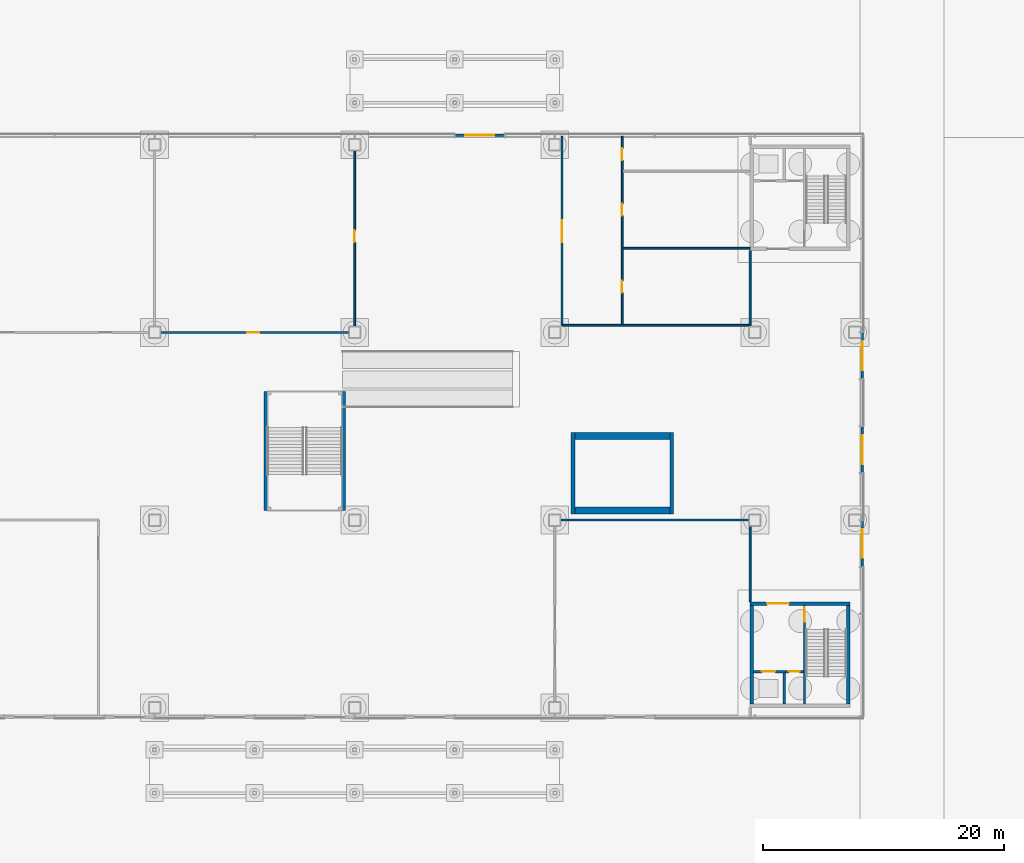
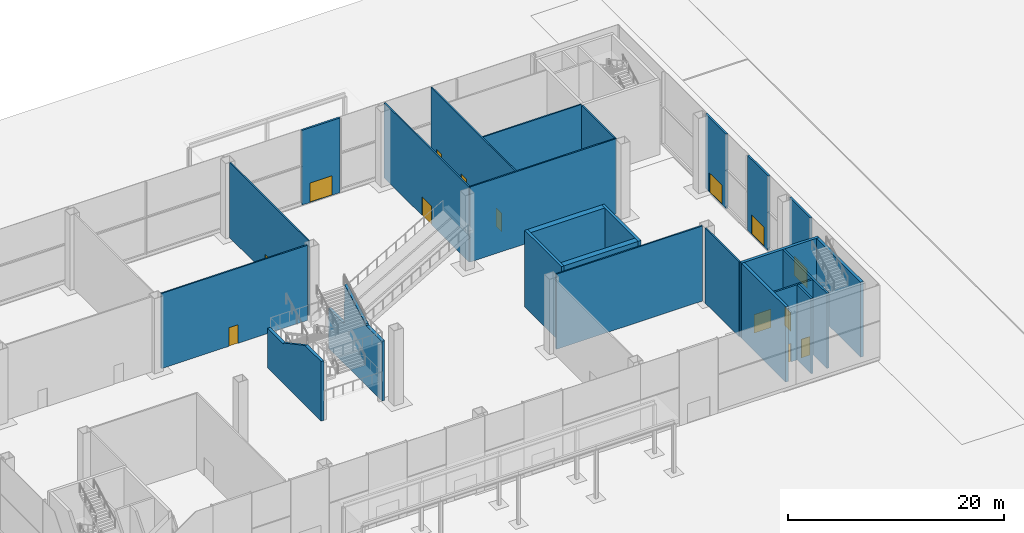
# One storey, part 46 of 113: 26 walls, 14 doors, 14 openings, 2 elements without a shape of their own.
"""IFC4 building model written with IfcOpenShell, lengths in metres."""

from ifc_helpers import new_model, si_unit, direction, frame, frame_2d, origin, place, context, subcontext, project, spatial, polyline, rectangle, outline, extrude, material, layer, layer_set, type_object, element, fill, aggregate, save


model = new_model("IFC4")

# Units and contexts
model_context = context("Model", 3, precision=1e-05, world=origin(), true_north=direction((0.0, 1.0)))
body_context = subcontext(model_context, "Body", "Model", "MODEL_VIEW")
ifc_project = project(units=[si_unit("LENGTHUNIT", "METRE"), si_unit("AREAUNIT", "SQUARE_METRE"), si_unit("VOLUMEUNIT", "CUBIC_METRE"), si_unit("PLANEANGLEUNIT", "RADIAN"), si_unit("MASSUNIT", "GRAM", prefix="KILO")], contexts=[model_context])

# Site, building, storey
site_placement = place(None, origin())
site = spatial("IfcSite", under=ifc_project, at=site_placement, CompositionType="ELEMENT")
building_placement = place(site_placement, origin())
building = spatial("IfcBuilding", under=site, at=building_placement, Name="Hakoniwa Tower and Hamabe Station Hall", CompositionType="ELEMENT")
storey_placement = place(building_placement, origin())
storey = spatial("IfcBuildingStorey", under=building, at=storey_placement, Name="L01", CompositionType="ELEMENT", Elevation=0.0)

# Wall, opening, door
ifc_material_1 = material(Name="Concrete block masonry fb10", Category="masonry")
ifc_layer_1 = layer(ifc_material_1, 0.199951171875)
ifc_layer_set_1 = layer_set([ifc_layer_1], Name="BLOCK WALL 200 EI 60")
wall_type_1 = type_object("IfcWallType", Name="BLOCK WALL 200 EI 60", PredefinedType="PARTITIONING", material=ifc_layer_set_1)
wall_1_placement = place(storey_placement, frame((164.85009765625, -20.39990234375, 0.0), z_axis=(0.0, 0.0, 1.0), x_axis=(-1.0, 0.0, 0.0)))
wall_1 = element("IfcWall", 1, at=wall_1_placement, inside=storey, type_object=wall_type_1, Name="Station riser room wall SC4 L01", PredefinedType="PARTITIONING", context=body_context, shape_type="SweptSolid", body=[
    extrude(rectangle(XDim=1.5, YDim=0.199951171875, at=frame_2d((0.75, 0.0))), origin(), (0.0, 0.0, 1.0), 8.5),
])
opening_1_placement = place(wall_1_placement, frame((0.300048828125, 0.0, 0.0)))
opening_1 = element("IfcOpeningElement", 2, at=opening_1_placement, cuts=wall_1, Name="Opening SD-L01-023", PredefinedType="OPENING", context=body_context, shape_type="SweptSolid", body=[
    extrude(rectangle(XDim=0.89990234375, YDim=2.10009765625, at=frame_2d((0.449951171875, 1.050048828125))), frame((0.0, 0.10986328125, 0.0), z_axis=(0.0, -1.0, 0.0), x_axis=(1.0, 0.0, 0.0)), (0.0, 0.0, 1.0), 0.219970703125),
])
ifc_material_2 = material(Name="Steel fire door", Category="steel")
door_type_1 = type_object("IfcDoorType", Name="FIRE DOOR 900X2100 FD30", OperationType="SINGLE_SWING_LEFT", PredefinedType="DOOR", material=ifc_material_2)
door_1_placement = place(opening_1_placement, origin())
door_1 = element("IfcDoor", 3, at=door_1_placement, inside=storey, type_object=door_type_1, Name="Door riser SC4", OperationType="SINGLE_SWING_LEFT", OverallHeight=2.10009765625, OverallWidth=0.89990234375, PredefinedType="DOOR", context=body_context, shape_type="SweptSolid", body=[
    extrude(rectangle(XDim=0.89990234375, YDim=2.10009765625, at=frame_2d((0.449951171875, 1.050048828125))), frame((0.0, 0.02490234375, 0.0), z_axis=(0.0, -1.0, 0.0), x_axis=(1.0, 0.0, 0.0)), (0.0, 0.0, 1.0), 0.050048828125),
])
fill(opening_1, door_1)

# Curtain wall, walls, openings, doors
ifc_material_3 = material(Name="Dark low-e laminated glass", Category="glass")
ifc_layer_2 = layer(ifc_material_3, 0.199951171875)
ifc_layer_set_2 = layer_set([ifc_layer_2], Name="CW-7 STATION")
curtain_wall_type = type_object("IfcCurtainWallType", Name="CW-7 STATION", PredefinedType="NOTDEFINED", material=ifc_layer_set_2)
curtain_wall_1_placement = place(storey_placement, origin())
curtain_wall_1 = element("IfcCurtainWall", 4, at=curtain_wall_1_placement, inside=storey, type_object=curtain_wall_type, Name="Station curtain wall L01 east", PredefinedType="NOTDEFINED")
ifc_material_4 = material(Name="Dark glass-faced aluminium panel", Category="aluminium")
ifc_layer_3 = layer(ifc_material_4, 0.199951171875)
ifc_layer_set_3 = layer_set([ifc_layer_3], Name="DOOR BAY WALL")
wall_type_2 = type_object("IfcWallType", Name="DOOR BAY WALL", PredefinedType="NOTDEFINED", material=ifc_layer_set_3)
wall_2_placement = place(storey_placement, frame((169.75, -11.669921875, 0.0), z_axis=(0.0, 0.0, 1.0), x_axis=(0.0, 1.0, 0.0)))
wall_2 = element("IfcWall", 5, at=wall_2_placement, type_object=wall_type_2, Name="Door bay wall", PredefinedType="NOTDEFINED", context=body_context, shape_type="SweptSolid", body=[
    extrude(rectangle(XDim=3.83984375, YDim=0.199951171875, at=frame_2d((1.919921875, 0.0))), origin(), (0.0, 0.0, 1.0), 8.449951171875),
])
opening_2_placement = place(wall_2_placement, frame((0.719970703125, 0.0, 0.0)))
opening_2 = element("IfcOpeningElement", 6, at=opening_2_placement, cuts=wall_2, Name="Opening ED-SH-E-01", PredefinedType="OPENING", context=body_context, shape_type="SweptSolid", body=[
    extrude(rectangle(XDim=2.39990234375, YDim=2.199951171875, at=frame_2d((1.199951171875, 1.10009765625))), frame((0.0, 0.10986328125, 0.0), z_axis=(0.0, -1.0, 0.0), x_axis=(1.0, 0.0, 0.0)), (0.0, 0.0, 1.0), 0.219970703125),
])
ifc_material_5 = material(Name="Dark low-e laminated glass", Category="glass")
door_type_2 = type_object("IfcDoorType", Name="BALCONY SLIDING DOOR 2400X2200", OperationType="SLIDING_TO_LEFT", PredefinedType="DOOR", material=ifc_material_5)
door_2_placement = place(opening_2_placement, frame((2.39990234375, 0.0, 0.0), z_axis=(0.0, 0.0, 1.0), x_axis=(-1.0, 0.0, 0.0)))
door_2 = element("IfcDoor", 7, at=door_2_placement, inside=storey, type_object=door_type_2, Name="Entrance door", OperationType="SLIDING_TO_LEFT", OverallHeight=2.199951171875, OverallWidth=2.39990234375, PredefinedType="DOOR", context=body_context, shape_type="SweptSolid", body=[
    extrude(rectangle(XDim=2.39990234375, YDim=2.199951171875, at=frame_2d((1.199951171875, 1.10009765625))), frame((0.0, 0.02490234375, 0.0), z_axis=(0.0, -1.0, 0.0), x_axis=(1.0, 0.0, 0.0)), (0.0, 0.0, 1.0), 0.050048828125),
])
fill(opening_2, door_2)
wall_3_placement = place(storey_placement, frame((169.75, -3.8701171875, 0.0), z_axis=(0.0, 0.0, 1.0), x_axis=(0.0, 1.0, 0.0)))
wall_3 = element("IfcWall", 8, at=wall_3_placement, type_object=wall_type_2, Name="Door bay wall", PredefinedType="NOTDEFINED", context=body_context, shape_type="SweptSolid", body=[
    extrude(rectangle(XDim=3.840087890625, YDim=0.199951171875, at=frame_2d((1.919921875, 0.0))), origin(), (0.0, 0.0, 1.0), 8.449951171875),
])
opening_3_placement = place(wall_3_placement, frame((0.719970703125, 0.0, 0.0)))
opening_3 = element("IfcOpeningElement", 9, at=opening_3_placement, cuts=wall_3, Name="Opening ED-SH-E-02", PredefinedType="OPENING", context=body_context, shape_type="SweptSolid", body=[
    extrude(rectangle(XDim=2.39990234375, YDim=2.199951171875, at=frame_2d((1.199951171875, 1.10009765625))), frame((0.0, 0.10986328125, 0.0), z_axis=(0.0, -1.0, 0.0), x_axis=(1.0, 0.0, 0.0)), (0.0, 0.0, 1.0), 0.219970703125),
])
door_3_placement = place(opening_3_placement, frame((2.39990234375, 0.0, 0.0), z_axis=(0.0, 0.0, 1.0), x_axis=(-1.0, 0.0, 0.0)))
door_3 = element("IfcDoor", 10, at=door_3_placement, inside=storey, type_object=door_type_2, Name="Entrance door", OperationType="SLIDING_TO_LEFT", OverallHeight=2.199951171875, OverallWidth=2.39990234375, PredefinedType="DOOR", context=body_context, shape_type="SweptSolid", body=[
    extrude(rectangle(XDim=2.39990234375, YDim=2.199951171875, at=frame_2d((1.199951171875, 1.10009765625))), frame((0.0, 0.02490234375, 0.0), z_axis=(0.0, -1.0, 0.0), x_axis=(1.0, 0.0, 0.0)), (0.0, 0.0, 1.0), 0.050048828125),
])
fill(opening_3, door_3)
wall_4_placement = place(storey_placement, frame((169.75, 3.929931640625, 0.0), z_axis=(0.0, 0.0, 1.0), x_axis=(0.0, 1.0, 0.0)))
wall_4 = element("IfcWall", 11, at=wall_4_placement, type_object=wall_type_2, Name="Door bay wall", PredefinedType="NOTDEFINED", context=body_context, shape_type="SweptSolid", body=[
    extrude(rectangle(XDim=3.840087890625, YDim=0.199951171875, at=frame_2d((1.919921875, 0.0))), origin(), (0.0, 0.0, 1.0), 8.449951171875),
])
opening_4_placement = place(wall_4_placement, frame((0.719970703125, 0.0, 0.0)))
opening_4 = element("IfcOpeningElement", 12, at=opening_4_placement, cuts=wall_4, Name="Opening ED-SH-E-03", PredefinedType="OPENING", context=body_context, shape_type="SweptSolid", body=[
    extrude(rectangle(XDim=2.39990234375, YDim=2.199951171875, at=frame_2d((1.199951171875, 1.10009765625))), frame((0.0, 0.10986328125, 0.0), z_axis=(0.0, -1.0, 0.0), x_axis=(1.0, 0.0, 0.0)), (0.0, 0.0, 1.0), 0.219970703125),
])
door_4_placement = place(opening_4_placement, frame((2.39990234375, 0.0, 0.0), z_axis=(0.0, 0.0, 1.0), x_axis=(-1.0, 0.0, 0.0)))
door_4 = element("IfcDoor", 13, at=door_4_placement, inside=storey, type_object=door_type_2, Name="Entrance door", OperationType="SLIDING_TO_LEFT", OverallHeight=2.199951171875, OverallWidth=2.39990234375, PredefinedType="DOOR", context=body_context, shape_type="SweptSolid", body=[
    extrude(rectangle(XDim=2.39990234375, YDim=2.199951171875, at=frame_2d((1.199951171875, 1.10009765625))), frame((0.0, 0.02490234375, 0.0), z_axis=(0.0, -1.0, 0.0), x_axis=(1.0, 0.0, 0.0)), (0.0, 0.0, 1.0), 0.050048828125),
])
fill(opening_4, door_4)
aggregate(curtain_wall_1, [wall_2, wall_3, wall_4])

# Curtain wall, wall, opening, door
curtain_wall_2_placement = place(storey_placement, origin())
curtain_wall_2 = element("IfcCurtainWall", 14, at=curtain_wall_2_placement, inside=storey, type_object=curtain_wall_type, Name="Station curtain wall L01 north", PredefinedType="NOTDEFINED")
wall_5_placement = place(storey_placement, frame((140.0, 24.199951171875, 0.0), z_axis=(0.0, 0.0, 1.0), x_axis=(-1.0, 0.0, 0.0)))
wall_5 = element("IfcWall", 15, at=wall_5_placement, type_object=wall_type_2, Name="Door bay wall", PredefinedType="NOTDEFINED", context=body_context, shape_type="SweptSolid", body=[
    extrude(rectangle(XDim=4.10009765625, YDim=0.199951171875, at=frame_2d((2.050048828125, 0.0))), origin(), (0.0, 0.0, 1.0), 8.449951171875),
])
opening_5_placement = place(wall_5_placement, frame((0.85009765625, 0.0, 0.0)))
opening_5 = element("IfcOpeningElement", 16, at=opening_5_placement, cuts=wall_5, Name="Opening ED-SH-N-01", PredefinedType="OPENING", context=body_context, shape_type="SweptSolid", body=[
    extrude(rectangle(XDim=2.39990234375, YDim=2.199951171875, at=frame_2d((1.199951171875, 1.10009765625))), frame((0.0, 0.10986328125, 0.0), z_axis=(0.0, -1.0, 0.0), x_axis=(1.0, 0.0, 0.0)), (0.0, 0.0, 1.0), 0.219970703125),
])
door_5_placement = place(opening_5_placement, frame((2.39990234375, 0.0, 0.0), z_axis=(0.0, 0.0, 1.0), x_axis=(-1.0, 0.0, 0.0)))
door_5 = element("IfcDoor", 17, at=door_5_placement, inside=storey, type_object=door_type_2, Name="Entrance door", OperationType="SLIDING_TO_LEFT", OverallHeight=2.199951171875, OverallWidth=2.39990234375, PredefinedType="DOOR", context=body_context, shape_type="SweptSolid", body=[
    extrude(rectangle(XDim=2.39990234375, YDim=2.199951171875, at=frame_2d((1.199951171875, 1.10009765625))), frame((0.0, 0.02490234375, 0.0), z_axis=(0.0, -1.0, 0.0), x_axis=(1.0, 0.0, 0.0)), (0.0, 0.0, 1.0), 0.050048828125),
])
fill(opening_5, door_5)
aggregate(curtain_wall_2, [wall_5])

# Wall
ifc_material_6 = material(Name="Fire-rated gypsum board partition")
ifc_layer_4 = layer(ifc_material_6, 0.14990234375)
ifc_layer_set_4 = layer_set([ifc_layer_4], Name="FIRE PARTITION 150 EI 60")
wall_type_3 = type_object("IfcWallType", Name="FIRE PARTITION 150 EI 60", PredefinedType="PARTITIONING", material=ifc_layer_set_4)
wall_6_placement = place(storey_placement, frame((144.68994140625, -7.800048828125, 0.0), z_axis=(0.0, 0.0, 1.0), x_axis=(1.0, 0.0, 0.0)))
element("IfcWall", 18, at=wall_6_placement, inside=storey, type_object=wall_type_3, Name="Partition L01 2", PredefinedType="PARTITIONING", context=body_context, shape_type="SweptSolid", body=[
    extrude(rectangle(XDim=15.64013671875, YDim=0.14990234375, at=frame_2d((7.820068359375, 0.0))), origin(), (0.0, 0.0, 1.0), 8.5),
])

# Wall, opening, door
wall_7_placement = place(storey_placement, frame((111.409912109375, 7.800048828125, 0.0), z_axis=(0.0, 0.0, 1.0), x_axis=(1.0, 0.0, 0.0)))
wall_7 = element("IfcWall", 19, at=wall_7_placement, inside=storey, type_object=wall_type_3, Name="Partition L01 3", PredefinedType="PARTITIONING", context=body_context, shape_type="SweptSolid", body=[
    extrude(rectangle(XDim=15.64013671875, YDim=0.14990234375, at=frame_2d((7.820068359375, 0.0))), origin(), (0.0, 0.0, 1.0), 8.5),
])
opening_6_placement = place(wall_7_placement, frame((7.217529296875, 0.0, 0.0)))
opening_6 = element("IfcOpeningElement", 20, at=opening_6_placement, cuts=wall_7, Name="Opening SD-L01-007", PredefinedType="OPENING", context=body_context, shape_type="SweptSolid", body=[
    extrude(rectangle(XDim=1.0, YDim=2.10009765625, at=frame_2d((0.5, 1.050048828125))), frame((0.0, 0.0849609375, 0.0), z_axis=(0.0, -1.0, 0.0), x_axis=(1.0, 0.0, 0.0)), (0.0, 0.0, 1.0), 0.169921875),
])
ifc_material_7 = material(Name="Timber door leaf", Category="wood")
door_type_3 = type_object("IfcDoorType", Name="SINGLE DOOR 1000X2100", OperationType="SINGLE_SWING_LEFT", PredefinedType="DOOR", material=ifc_material_7)
door_6_placement = place(opening_6_placement, origin())
door_6 = element("IfcDoor", 21, at=door_6_placement, inside=storey, type_object=door_type_3, Name="Door Station Office", OperationType="SINGLE_SWING_RIGHT", OverallHeight=2.10009765625, OverallWidth=1.0, PredefinedType="DOOR", context=body_context, shape_type="SweptSolid", body=[
    extrude(rectangle(XDim=1.0, YDim=2.10009765625, at=frame_2d((0.5, 1.050048828125))), frame((0.0, 0.02490234375, 0.0), z_axis=(0.0, -1.0, 0.0), x_axis=(1.0, 0.0, 0.0)), (0.0, 0.0, 1.0), 0.050048828125),
])
fill(opening_6, door_6)

# Walls
wall_8_placement = place(storey_placement, frame((144.7900390625, 8.39990234375, 0.0), z_axis=(0.0, 0.0, 1.0), x_axis=(1.0, 0.0, 0.0)))
element("IfcWall", 22, at=wall_8_placement, inside=storey, type_object=wall_type_3, Name="Partition L01 4", PredefinedType="PARTITIONING", context=body_context, shape_type="SweptSolid", body=[
    extrude(rectangle(XDim=15.639892578125, YDim=0.14990234375, at=frame_2d((7.81982421875, 0.0))), origin(), (0.0, 0.0, 1.0), 8.5),
])
wall_9_placement = place(storey_placement, frame((149.864990234375, 14.800048828125, 0.0), z_axis=(0.0, 0.0, 1.0), x_axis=(1.0, 0.0, 0.0)))
element("IfcWall", 23, at=wall_9_placement, inside=storey, type_object=wall_type_3, Name="Partition L01 5", PredefinedType="PARTITIONING", context=body_context, shape_type="SweptSolid", body=[
    extrude(rectangle(XDim=10.56494140625, YDim=0.14990234375, at=frame_2d((5.282470703125, 0.0))), origin(), (0.0, 0.0, 1.0), 8.5),
])

# Wall, opening, door
wall_10_placement = place(storey_placement, frame((127.550048828125, 8.300048828125, 0.0), z_axis=(0.0, 0.0, 1.0), x_axis=(0.0, 1.0, 0.0)))
wall_10 = element("IfcWall", 24, at=wall_10_placement, inside=storey, type_object=wall_type_3, Name="Partition L01 13", PredefinedType="PARTITIONING", context=body_context, shape_type="SweptSolid", body=[
    extrude(rectangle(XDim=14.599853515625, YDim=0.14990234375, at=frame_2d((7.2998046875, 0.0))), origin(), (0.0, 0.0, 1.0), 8.5),
])
opening_7_placement = place(wall_10_placement, frame((7.012451171875, 0.0, 0.0)))
opening_7 = element("IfcOpeningElement", 25, at=opening_7_placement, cuts=wall_10, Name="Opening SD-L01-006", PredefinedType="OPENING", context=body_context, shape_type="SweptSolid", body=[
    extrude(rectangle(XDim=1.0, YDim=2.10009765625, at=frame_2d((0.5, 1.050048828125))), frame((0.0, 0.0849609375, 0.0), z_axis=(0.0, -1.0, 0.0), x_axis=(1.0, 0.0, 0.0)), (0.0, 0.0, 1.0), 0.169921875),
])
door_7_placement = place(opening_7_placement, origin())
door_7 = element("IfcDoor", 26, at=door_7_placement, inside=storey, type_object=door_type_3, Name="Door Station Office", OperationType="SINGLE_SWING_LEFT", OverallHeight=2.10009765625, OverallWidth=1.0, PredefinedType="DOOR", context=body_context, shape_type="SweptSolid", body=[
    extrude(rectangle(XDim=1.0, YDim=2.10009765625, at=frame_2d((0.5, 1.050048828125))), frame((0.0, 0.02490234375, 0.0), z_axis=(0.0, -1.0, 0.0), x_axis=(1.0, 0.0, 0.0)), (0.0, 0.0, 1.0), 0.050048828125),
])
fill(opening_7, door_7)

wall_11_placement = place(storey_placement, frame((144.7900390625, 8.39990234375, 0.0), z_axis=(0.0, 0.0, 1.0), x_axis=(0.0, 1.0, 0.0)))
wall_11 = element("IfcWall", 27, at=wall_11_placement, inside=storey, type_object=wall_type_3, Name="Partition L01 15", PredefinedType="PARTITIONING", context=body_context, shape_type="SweptSolid", body=[
    extrude(rectangle(XDim=15.7001953125, YDim=0.14990234375, at=frame_2d((7.85009765625, 0.0))), origin(), (0.0, 0.0, 1.0), 8.5),
])
opening_8_placement = place(wall_11_placement, frame((6.9150390625, 0.0, 0.0)))
opening_8 = element("IfcOpeningElement", 28, at=opening_8_placement, cuts=wall_11, Name="Opening SD-L01-008", PredefinedType="OPENING", context=body_context, shape_type="SweptSolid", body=[
    extrude(rectangle(XDim=1.800048828125, YDim=2.10009765625, at=frame_2d((0.89990234375, 1.050048828125))), frame((0.0, 0.0849609375, 0.0), z_axis=(0.0, -1.0, 0.0), x_axis=(1.0, 0.0, 0.0)), (0.0, 0.0, 1.0), 0.169921875),
])
ifc_material_8 = material(Name="Timber door leaf", Category="wood")
door_type_4 = type_object("IfcDoorType", Name="DOUBLE DOOR 1800X2100 FD60", OperationType="DOUBLE_DOOR_SINGLE_SWING", PredefinedType="DOOR", material=ifc_material_8)
door_8_placement = place(opening_8_placement, origin())
door_8 = element("IfcDoor", 29, at=door_8_placement, inside=storey, type_object=door_type_4, Name="Door WC Lobby", OperationType="DOUBLE_DOOR_SINGLE_SWING", OverallHeight=2.10009765625, OverallWidth=1.800048828125, PredefinedType="DOOR", context=body_context, shape_type="SweptSolid", body=[
    extrude(rectangle(XDim=1.800048828125, YDim=2.10009765625, at=frame_2d((0.89990234375, 1.050048828125))), frame((0.0, 0.02490234375, 0.0), z_axis=(0.0, -1.0, 0.0), x_axis=(1.0, 0.0, 0.0)), (0.0, 0.0, 1.0), 0.050048828125),
])
fill(opening_8, door_8)

# Wall, openings, doors
wall_12_placement = place(storey_placement, frame((149.7900390625, 8.47509765625, 0.0), z_axis=(0.0, 0.0, 1.0), x_axis=(0.0, 1.0, 0.0)))
wall_12 = element("IfcWall", 30, at=wall_12_placement, inside=storey, type_object=wall_type_3, Name="Partition L01 16", PredefinedType="PARTITIONING", context=body_context, shape_type="SweptSolid", body=[
    extrude(rectangle(XDim=15.625, YDim=0.14990234375, at=frame_2d((7.8125, 0.0))), origin(), (0.0, 0.0, 1.0), 8.5),
])
opening_9_placement = place(wall_12_placement, frame((2.625, 0.0, 0.0)))
opening_9 = element("IfcOpeningElement", 31, at=opening_9_placement, cuts=wall_12, Name="Opening SD-L01-009", PredefinedType="OPENING", context=body_context, shape_type="SweptSolid", body=[
    extrude(rectangle(XDim=1.0, YDim=2.10009765625, at=frame_2d((0.5, 1.050048828125))), frame((0.0, 0.0849609375, 0.0), z_axis=(0.0, -1.0, 0.0), x_axis=(1.0, 0.0, 0.0)), (0.0, 0.0, 1.0), 0.169921875),
])
opening_10_placement = place(wall_12_placement, frame((9.02490234375, 0.0, 0.0)))
opening_10 = element("IfcOpeningElement", 32, at=opening_10_placement, cuts=wall_12, Name="Opening SD-L01-010", PredefinedType="OPENING", context=body_context, shape_type="SweptSolid", body=[
    extrude(rectangle(XDim=1.0, YDim=2.10009765625, at=frame_2d((0.5, 1.050048828125))), frame((0.0, 0.0849609375, 0.0), z_axis=(0.0, -1.0, 0.0), x_axis=(1.0, 0.0, 0.0)), (0.0, 0.0, 1.0), 0.169921875),
])
opening_11_placement = place(wall_12_placement, frame((13.625, 0.0, 0.0)))
opening_11 = element("IfcOpeningElement", 33, at=opening_11_placement, cuts=wall_12, Name="Opening SD-L01-011", PredefinedType="OPENING", context=body_context, shape_type="SweptSolid", body=[
    extrude(rectangle(XDim=1.0, YDim=2.10009765625, at=frame_2d((0.5, 1.050048828125))), frame((0.0, 0.0849609375, 0.0), z_axis=(0.0, -1.0, 0.0), x_axis=(1.0, 0.0, 0.0)), (0.0, 0.0, 1.0), 0.169921875),
])
door_9_placement = place(opening_9_placement, origin())
door_9 = element("IfcDoor", 34, at=door_9_placement, inside=storey, type_object=door_type_3, Name="Door Men's WC", OperationType="SINGLE_SWING_LEFT", OverallHeight=2.10009765625, OverallWidth=1.0, PredefinedType="DOOR", context=body_context, shape_type="SweptSolid", body=[
    extrude(rectangle(XDim=1.0, YDim=2.10009765625, at=frame_2d((0.5, 1.050048828125))), frame((0.0, 0.02490234375, 0.0), z_axis=(0.0, -1.0, 0.0), x_axis=(1.0, 0.0, 0.0)), (0.0, 0.0, 1.0), 0.050048828125),
])
fill(opening_9, door_9)
door_10_placement = place(opening_10_placement, origin())
door_10 = element("IfcDoor", 35, at=door_10_placement, inside=storey, type_object=door_type_3, Name="Door Women's WC", OperationType="SINGLE_SWING_LEFT", OverallHeight=2.10009765625, OverallWidth=1.0, PredefinedType="DOOR", context=body_context, shape_type="SweptSolid", body=[
    extrude(rectangle(XDim=1.0, YDim=2.10009765625, at=frame_2d((0.5, 1.050048828125))), frame((0.0, 0.02490234375, 0.0), z_axis=(0.0, -1.0, 0.0), x_axis=(1.0, 0.0, 0.0)), (0.0, 0.0, 1.0), 0.050048828125),
])
fill(opening_10, door_10)
door_11_placement = place(opening_11_placement, origin())
door_11 = element("IfcDoor", 36, at=door_11_placement, inside=storey, type_object=door_type_3, Name="Door Accessible WC", OperationType="SINGLE_SWING_LEFT", OverallHeight=2.10009765625, OverallWidth=1.0, PredefinedType="DOOR", context=body_context, shape_type="SweptSolid", body=[
    extrude(rectangle(XDim=1.0, YDim=2.10009765625, at=frame_2d((0.5, 1.050048828125))), frame((0.0, 0.02490234375, 0.0), z_axis=(0.0, -1.0, 0.0), x_axis=(1.0, 0.0, 0.0)), (0.0, 0.0, 1.0), 0.050048828125),
])
fill(opening_11, door_11)

# Walls
wall_13_placement = place(storey_placement, frame((160.429931640625, -14.60009765625, 0.0), z_axis=(0.0, 0.0, 1.0), x_axis=(0.0, 1.0, 0.0)))
element("IfcWall", 37, at=wall_13_placement, inside=storey, type_object=wall_type_3, Name="Partition L01 18", PredefinedType="PARTITIONING", context=body_context, shape_type="SweptSolid", body=[
    extrude(rectangle(XDim=6.300048828125, YDim=0.14990234375, at=frame_2d((3.14990234375, 0.0))), origin(), (0.0, 0.0, 1.0), 8.5),
])
wall_14_placement = place(storey_placement, frame((160.429931640625, 8.39990234375, 0.0), z_axis=(0.0, 0.0, 1.0), x_axis=(0.0, 1.0, 0.0)))
element("IfcWall", 38, at=wall_14_placement, inside=storey, type_object=wall_type_3, Name="Partition L01 19", PredefinedType="PARTITIONING", context=body_context, shape_type="SweptSolid", body=[
    extrude(rectangle(XDim=6.2001953125, YDim=0.14990234375, at=frame_2d((3.10009765625, 0.0))), origin(), (0.0, 0.0, 1.0), 8.5),
])

# Wall, opening, door
ifc_material_9 = material(Name="Concrete C60", Category="concrete")
ifc_layer_5 = layer(ifc_material_9, 0.199951171875)
ifc_layer_set_5 = layer_set([ifc_layer_5], Name="RC WALL 200 EI 120 C60")
wall_type_4 = type_object("IfcWallType", Name="RC WALL 200 EI 120 C60", PredefinedType="SHEAR", material=ifc_layer_set_5)
wall_15_placement = place(storey_placement, frame((164.949951171875, -23.10009765625, 0.0), z_axis=(0.0, 0.0, 1.0), x_axis=(0.0, 1.0, 0.0)))
wall_15 = element("IfcWall", 39, at=wall_15_placement, inside=storey, type_object=wall_type_4, Name="Station stair wall SC4 L01", PredefinedType="SHEAR", context=body_context, shape_type="SweptSolid", body=[
    extrude(rectangle(XDim=8.2001953125, YDim=0.199951171875, at=frame_2d((4.10009765625, 0.0))), origin(), (0.0, 0.0, 1.0), 8.5),
])
opening_12_placement = place(wall_15_placement, frame((6.85009765625, 0.0, 0.0)))
opening_12 = element("IfcOpeningElement", 40, at=opening_12_placement, cuts=wall_15, Name="Opening SD-L01-022", PredefinedType="OPENING", context=body_context, shape_type="SweptSolid", body=[
    extrude(rectangle(XDim=1.199951171875, YDim=2.10009765625, at=frame_2d((0.60009765625, 1.050048828125))), frame((0.0, 0.10986328125, 0.0), z_axis=(0.0, -1.0, 0.0), x_axis=(1.0, 0.0, 0.0)), (0.0, 0.0, 1.0), 0.219970703125),
])
ifc_material_10 = material(Name="Steel fire door", Category="steel")
door_type_5 = type_object("IfcDoorType", Name="FIRE DOOR 1200X2100 FD60", OperationType="SINGLE_SWING_LEFT", PredefinedType="DOOR", material=ifc_material_10)
door_12_placement = place(opening_12_placement, origin())
door_12 = element("IfcDoor", 41, at=door_12_placement, inside=storey, type_object=door_type_5, Name="Door escape stair SC4", OperationType="SINGLE_SWING_LEFT", OverallHeight=2.10009765625, OverallWidth=1.199951171875, PredefinedType="DOOR", context=body_context, shape_type="SweptSolid", body=[
    extrude(rectangle(XDim=1.199951171875, YDim=2.10009765625, at=frame_2d((0.60009765625, 1.050048828125))), frame((0.0, 0.02490234375, 0.0), z_axis=(0.0, -1.0, 0.0), x_axis=(1.0, 0.0, 0.0)), (0.0, 0.0, 1.0), 0.050048828125),
])
fill(opening_12, door_12)

# Wall
ifc_material_11 = material(Name="Concrete C60", Category="concrete")
ifc_layer_6 = layer(ifc_material_11, 0.199951171875)
ifc_layer_set_6 = layer_set([ifc_layer_6], Name="RC WALL 200 EI 60 C60")
wall_type_5 = type_object("IfcWallType", Name="RC WALL 200 EI 60 C60", PredefinedType="SHEAR", material=ifc_layer_set_6)
wall_16_placement = place(storey_placement, frame((163.25, -23.10009765625, 0.0), z_axis=(0.0, 0.0, 1.0), x_axis=(0.0, 1.0, 0.0)))
element("IfcWall", 42, at=wall_16_placement, inside=storey, type_object=wall_type_5, Name="Station hoistway wall SC4 L01", PredefinedType="SHEAR", context=body_context, shape_type="SweptSolid", body=[
    extrude(rectangle(XDim=2.60009765625, YDim=0.199951171875, at=frame_2d((1.300048828125, 0.0))), origin(), (0.0, 0.0, 1.0), 8.5),
])

# Wall, opening, door
wall_17_placement = place(storey_placement, frame((163.35009765625, -20.39990234375, 0.0), z_axis=(0.0, 0.0, 1.0), x_axis=(-1.0, 0.0, 0.0)))
wall_17 = element("IfcWall", 43, at=wall_17_placement, inside=storey, type_object=wall_type_5, Name="Station hoistway front wall SC4 L01", PredefinedType="SHEAR", context=body_context, shape_type="SweptSolid", body=[
    extrude(rectangle(XDim=2.6201171875, YDim=0.199951171875, at=frame_2d((1.31005859375, 0.0))), origin(), (0.0, 0.0, 1.0), 8.5),
])
opening_13_placement = place(wall_17_placement, frame((0.85009765625, 0.0, 0.0)))
opening_13 = element("IfcOpeningElement", 44, at=opening_13_placement, cuts=wall_17, Name="Opening LD-SL4-L01", PredefinedType="OPENING", context=body_context, shape_type="SweptSolid", body=[
    extrude(rectangle(XDim=1.10009765625, YDim=2.10009765625, at=frame_2d((0.550048828125, 1.050048828125))), frame((0.0, 0.10986328125, 0.0), z_axis=(0.0, -1.0, 0.0), x_axis=(1.0, 0.0, 0.0)), (0.0, 0.0, 1.0), 0.219970703125),
])
ifc_material_12 = material(Name="Stainless steel SUS304", Category="steel")
door_type_6 = type_object("IfcDoorType", Name="LIFT LANDING DOOR 1100X2100", OperationType="DOUBLE_DOOR_SLIDING", PredefinedType="DOOR", material=ifc_material_12)
door_13_placement = place(opening_13_placement, origin())
door_13 = element("IfcDoor", 45, at=door_13_placement, inside=storey, type_object=door_type_6, Name="Lift landing door SL4 L01", OperationType="DOUBLE_DOOR_SLIDING", OverallHeight=2.10009765625, OverallWidth=1.10009765625, PredefinedType="DOOR", context=body_context, shape_type="SweptSolid", body=[
    extrude(rectangle(XDim=1.10009765625, YDim=2.10009765625, at=frame_2d((0.550048828125, 1.050048828125))), frame((0.0, 0.02490234375, 0.0), z_axis=(0.0, -1.0, 0.0), x_axis=(1.0, 0.0, 0.0)), (0.0, 0.0, 1.0), 0.050048828125),
])
fill(opening_13, door_13)

# Walls
ifc_material_13 = material(Name="Concrete C40", Category="concrete")
ifc_layer_7 = layer(ifc_material_13, 0.300048828125)
ifc_layer_set_7 = layer_set([ifc_layer_7], Name="RC WALL 300 EI 120 C40")
wall_type_6 = type_object("IfcWallType", Name="RC WALL 300 EI 120 C40", PredefinedType="SHEAR", material=ifc_layer_set_7)
wall_18_placement = place(storey_placement, frame((120.139892578125, 2.89990234375, 0.0), z_axis=(0.0, 0.0, 1.0), x_axis=(0.0, -1.0, 0.0)))
element("IfcWall", 46, at=wall_18_placement, inside=storey, type_object=wall_type_6, Name="Stair cheek wall CS1 a", PredefinedType="SHEAR", context=body_context, shape_type="SweptSolid", body=[
    extrude(outline(polyline([(0.0, 0.0), (9.919921875, 0.0), (9.919921875, 6.75), (7.0, 6.75), (6.89990234375, 6.7392578125), (6.699951171875, 6.632080078125), (6.60009765625, 6.57861328125), (6.39990234375, 6.471435546875), (6.300048828125, 6.41796875), (6.0, 6.257080078125), (5.89990234375, 6.20361328125), (5.699951171875, 6.096435546875), (5.60009765625, 6.04296875), (5.300048828125, 5.882080078125), (5.199951171875, 5.82861328125), (5.0, 5.721435546875), (4.89990234375, 5.66796875), (4.60009765625, 5.507080078125), (4.5, 5.45361328125), (4.300048828125, 5.346435546875), (4.199951171875, 5.29296875), (3.89990234375, 5.132080078125), (3.800048828125, 5.07861328125), (3.60009765625, 4.971435546875), (3.5, 4.91796875), (3.199951171875, 4.757080078125), (3.10009765625, 4.70361328125), (3.0, 4.64990234375), (2.89990234375, 4.5), (0.0, 4.5), (0.0, 0.0)])), frame((0.0, 0.14990234375, 0.0), z_axis=(0.0, -1.0, 0.0), x_axis=(1.0, 0.0, 0.0)), (0.0, 0.0, 1.0), 0.300048828125),
])
wall_19_placement = place(storey_placement, frame((126.639892578125, 2.89990234375, 0.0), z_axis=(0.0, 0.0, 1.0), x_axis=(0.0, -1.0, 0.0)))
element("IfcWall", 47, at=wall_19_placement, inside=storey, type_object=wall_type_6, Name="Stair cheek wall CS1 b", PredefinedType="SHEAR", context=body_context, shape_type="SweptSolid", body=[
    extrude(outline(polyline([(0.0, 0.0), (9.919921875, 0.0), (9.919921875, 6.75), (7.0, 6.75), (6.89990234375, 6.91064453125), (6.699951171875, 7.017822265625), (6.60009765625, 7.0712890625), (6.39990234375, 7.1787109375), (6.300048828125, 7.232177734375), (6.0, 7.392822265625), (5.89990234375, 7.4462890625), (5.699951171875, 7.5537109375), (5.60009765625, 7.607177734375), (5.300048828125, 7.767822265625), (5.199951171875, 7.8212890625), (5.0, 7.9287109375), (4.89990234375, 7.982177734375), (4.60009765625, 8.142822265625), (4.5, 8.1962890625), (4.300048828125, 8.3037109375), (4.199951171875, 8.357177734375), (3.89990234375, 8.517822265625), (3.800048828125, 8.5712890625), (3.60009765625, 8.6787109375), (3.5, 8.732177734375), (3.199951171875, 8.892822265625), (3.10009765625, 8.9462890625), (3.0, 9.0), (2.89990234375, 4.5), (0.0, 4.5), (0.0, 0.0)])), frame((0.0, 0.14990234375, 0.0), z_axis=(0.0, -1.0, 0.0), x_axis=(1.0, 0.0, 0.0)), (0.0, 0.0, 1.0), 0.300048828125),
])
for number, where, z_axis, x_axis, name in (
    (48, (153.919921875, -0.5, 0.0), (0.0, 0.0, 1.0), (0.0, -1.0, 0.0), "Stair support wall PA1 3"),
    (49, (145.699951171875, -0.5, 0.0), (0.0, 0.0, 1.0), (0.0, -1.0, 0.0), "Stair support wall PA1 4"),
):
    element("IfcWall", number, at=place(storey_placement, frame(where, z_axis=z_axis, x_axis=x_axis)), inside=storey, type_object=wall_type_6, Name=name, PredefinedType="SHEAR", context=body_context, shape_type="SweptSolid", body=[
        extrude(rectangle(XDim=6.800048828125, YDim=0.300048828125, at=frame_2d((3.39990234375, 0.0))), origin(), (0.0, 0.0, 1.0), 8.699951171875),
    ])

# Wall, opening, door
ifc_material_14 = material(Name="Concrete C60", Category="concrete")
ifc_layer_8 = layer(ifc_material_14, 0.300048828125)
ifc_layer_set_8 = layer_set([ifc_layer_8], Name="RC WALL 300 EI 120 C60")
wall_type_7 = type_object("IfcWallType", Name="RC WALL 300 EI 120 C60", PredefinedType="SHEAR", material=ifc_layer_set_8)
wall_20_placement = place(storey_placement, frame((168.75, -14.75, 0.0), z_axis=(0.0, 0.0, 1.0), x_axis=(-1.0, 0.0, 0.0)))
wall_20 = element("IfcWall", 50, at=wall_20_placement, inside=storey, type_object=wall_type_7, Name="Station core wall SC4 inner-v L01", PredefinedType="SHEAR", context=body_context, shape_type="SweptSolid", body=[
    extrude(rectangle(XDim=8.320068359375, YDim=0.300048828125, at=frame_2d((4.16015625, 0.0))), origin(), (0.0, 0.0, 1.0), 8.5),
])
opening_14_placement = place(wall_20_placement, frame((5.10009765625, 0.0, 0.0)))
opening_14 = element("IfcOpeningElement", 51, at=opening_14_placement, cuts=wall_20, Name="Opening SD-L01-021", PredefinedType="OPENING", context=body_context, shape_type="SweptSolid", body=[
    extrude(rectangle(XDim=1.800048828125, YDim=2.10009765625, at=frame_2d((0.89990234375, 1.050048828125))), frame((0.0, 0.159912109375, 0.0), z_axis=(0.0, -1.0, 0.0), x_axis=(1.0, 0.0, 0.0)), (0.0, 0.0, 1.0), 0.320068359375),
])
ifc_material_15 = material(Name="Steel fire door", Category="steel")
door_type_7 = type_object("IfcDoorType", Name="FIRE DOUBLE DOOR 1800X2100 FD60", OperationType="DOUBLE_DOOR_SINGLE_SWING", PredefinedType="DOOR", material=ifc_material_15)
door_14_placement = place(opening_14_placement, origin())
door_14 = element("IfcDoor", 52, at=door_14_placement, inside=storey, type_object=door_type_7, Name="Door lobby SC4", OperationType="DOUBLE_DOOR_SINGLE_SWING", OverallHeight=2.10009765625, OverallWidth=1.800048828125, PredefinedType="DOOR", context=body_context, shape_type="SweptSolid", body=[
    extrude(rectangle(XDim=1.800048828125, YDim=2.10009765625, at=frame_2d((0.89990234375, 1.050048828125))), frame((0.0, 0.02490234375, 0.0), z_axis=(0.0, -1.0, 0.0), x_axis=(1.0, 0.0, 0.0)), (0.0, 0.0, 1.0), 0.050048828125),
])
fill(opening_14, door_14)

# Walls
for number, where, z_axis, x_axis, name in (
    (53, (168.60009765625, -23.10009765625, 0.0), (0.0, 0.0, 1.0), (0.0, 1.0, 0.0), "Station core wall SC4 outer-u L01"),
    (54, (160.580078125, -23.10009765625, 0.0), (0.0, 0.0, 1.0), (0.0, 1.0, 0.0), "Station core wall SC4 inner-u L01"),
):
    element("IfcWall", number, at=place(storey_placement, frame(where, z_axis=z_axis, x_axis=x_axis)), inside=storey, type_object=wall_type_7, Name=name, PredefinedType="SHEAR", context=body_context, shape_type="SweptSolid", body=[
        extrude(rectangle(XDim=8.2001953125, YDim=0.300048828125, at=frame_2d((4.10009765625, 0.0))), origin(), (0.0, 0.0, 1.0), 8.5),
    ])
ifc_material_16 = material(Name="Concrete C40", Category="concrete")
ifc_layer_9 = layer(ifc_material_16, 0.60009765625)
ifc_layer_set_9 = layer_set([ifc_layer_9], Name="RC WALL 600 EI 120 C40")
wall_type_8 = type_object("IfcWallType", Name="RC WALL 600 EI 120 C40", PredefinedType="SHEAR", material=ifc_layer_set_9)
for number, where, z_axis, x_axis, name in (
    (55, (153.77001953125, -0.800048828125, 0.0), (0.0, 0.0, 1.0), (-1.0, 0.0, 0.0), "Stair support wall PA1 1"),
    (56, (153.77001953125, -7.0, 0.0), (0.0, 0.0, 1.0), (-1.0, 0.0, 0.0), "Stair support wall PA1 2"),
):
    element("IfcWall", number, at=place(storey_placement, frame(where, z_axis=z_axis, x_axis=x_axis)), inside=storey, type_object=wall_type_8, Name=name, PredefinedType="SHEAR", context=body_context, shape_type="SweptSolid", body=[
        extrude(rectangle(XDim=7.919921875, YDim=0.60009765625, at=frame_2d((3.9599609375, 0.0))), origin(), (0.0, 0.0, 1.0), 8.699951171875),
    ])

save(model, "model.ifc")
